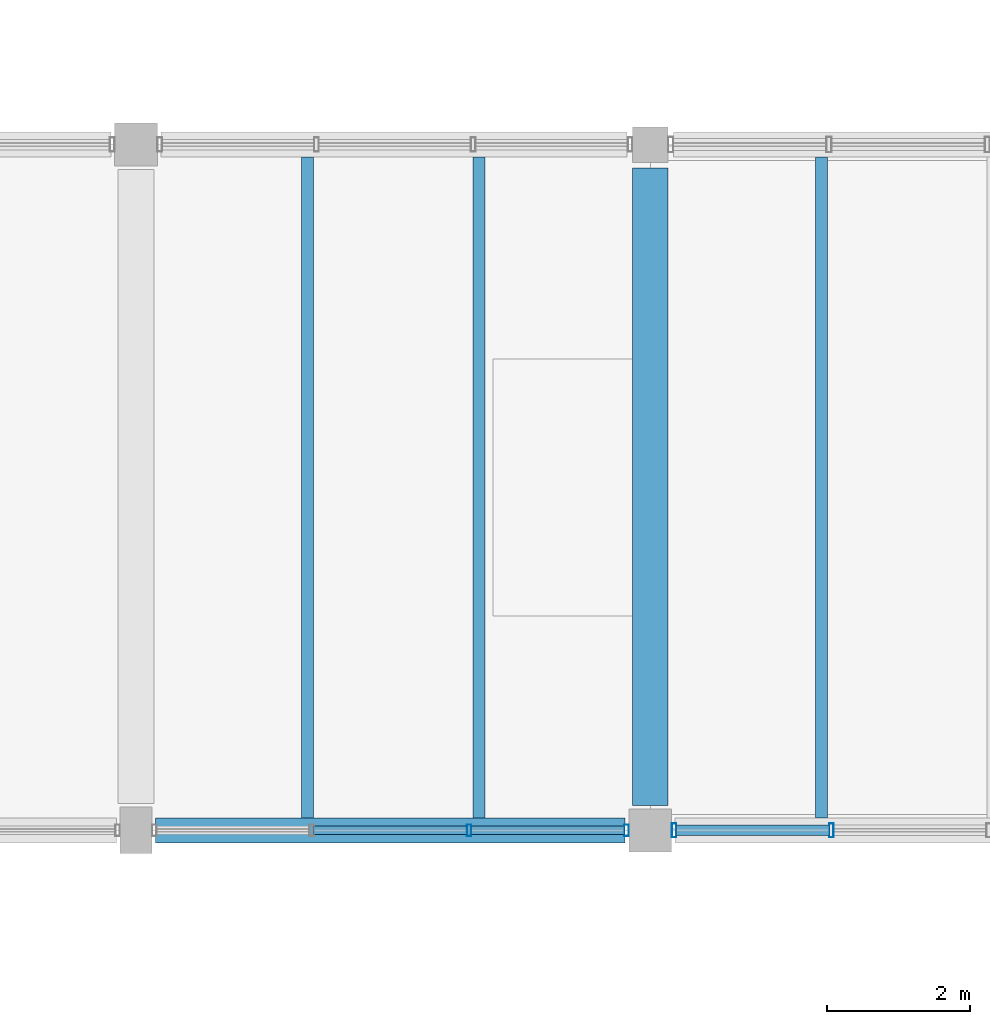
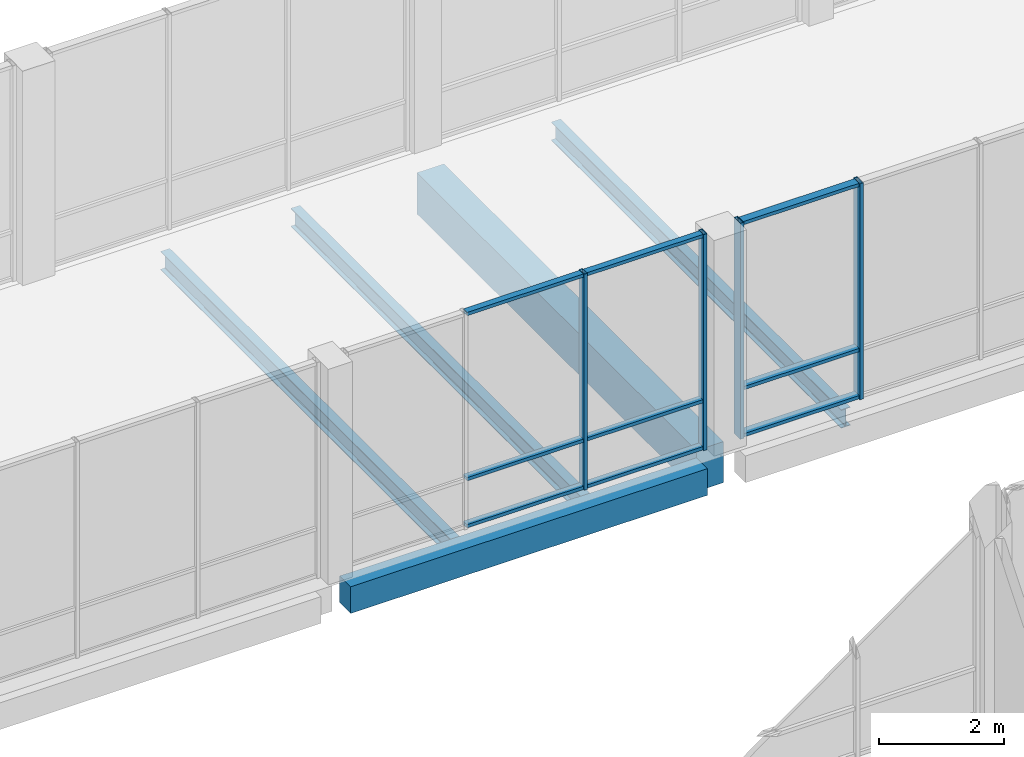
# One storey, part 25 of 104: 13 members, 5 beams, 2 elements without a shape of their own.
"""IFC4 building model written with IfcOpenShell, lengths in metres."""

from ifc_helpers import new_model, si_unit, direction, frame, origin, origin_2d, place, context, subcontext, project, spatial, rectangle, hollow_rectangle, i_section, extrude, material, material_profile, profile_set, type_object, element, aggregate, save


model = new_model("IFC4")

# Units and contexts
model_context = context("Model", 3, precision=1e-05, world=origin(), true_north=direction((0.0, 1.0)))
body_context = subcontext(model_context, "Body", "Model", "MODEL_VIEW")
ifc_project = project(units=[si_unit("LENGTHUNIT", "METRE"), si_unit("AREAUNIT", "SQUARE_METRE"), si_unit("VOLUMEUNIT", "CUBIC_METRE"), si_unit("PLANEANGLEUNIT", "RADIAN"), si_unit("MASSUNIT", "GRAM", prefix="KILO")], contexts=[model_context])

# Site, building, storey
site_placement = place(None, origin())
site = spatial("IfcSite", under=ifc_project, at=site_placement, CompositionType="ELEMENT")
building_placement = place(site_placement, origin())
building = spatial("IfcBuilding", under=site, at=building_placement, Name="Hawrajan Terrace Health Centre", CompositionType="ELEMENT")
storey_placement = place(building_placement, origin())
storey = spatial("IfcBuildingStorey", under=building, at=storey_placement, Name="L00", CompositionType="ELEMENT", Elevation=0.0)

# Curtain wall, members
ifc_material_1 = material(Name="Anodized bronze aluminium and low-E solar glazing", Category="aluminium")
curtain_wall_type_1 = type_object("IfcCurtainWallType", Name="CW_Clerestory_SeriesG3", PredefinedType="USERDEFINED", material=ifc_material_1)
curtain_wall_1_placement = place(storey_placement, origin())
curtain_wall_1 = element("IfcCurtainWall", 1, at=curtain_wall_1_placement, inside=storey, type_object=curtain_wall_type_1, Name="Curtain wall CW-L00-018", ObjectType="UNITISED CURTAIN WALL", PredefinedType="USERDEFINED")
ifc_material_2 = material(Name="Anodized bronze aluminium 6063-T6", Category="aluminium")
ifc_material_profile_1 = material_profile(ifc_material_2, hollow_rectangle(XDim=0.06494140625, YDim=0.159912109375, WallThickness=0.00390625, at=origin_2d()), Name="CW MUL 65x160")
ifc_profile_set_1 = profile_set([ifc_material_profile_1], Name="Anodized bronze aluminium 6063-T6")
member_type_1 = type_object("IfcMemberType", Name="CWMullion_65x160", PredefinedType="MULLION", material=ifc_profile_set_1)
member_1_placement = place(storey_placement, frame((45.26416015625, 27.199951171875, -0.0048828125), z_axis=(0.0, 0.0, 1.0), x_axis=(1.0, 0.0, 0.0)))
member_1 = element("IfcMember", 2, at=member_1_placement, type_object=member_type_1, Name="Mullion CW-L00-018-M3", PredefinedType="MULLION", context=body_context, shape_type="SweptSolid", body=[
    extrude(hollow_rectangle(XDim=0.06494140625, YDim=0.159912109375, WallThickness=0.00390625, at=origin_2d()), origin(), (0.0, 0.0, 1.0), 4.2099609375),
])
member_2_placement = place(storey_placement, frame((47.467529296875, 27.199951171875, -0.0048828125), z_axis=(0.0, 0.0, 1.0), x_axis=(1.0, 0.0, 0.0)))
member_2 = element("IfcMember", 3, at=member_2_placement, type_object=member_type_1, Name="Mullion CW-L00-018-M4", PredefinedType="MULLION", context=body_context, shape_type="SweptSolid", body=[
    extrude(hollow_rectangle(XDim=0.06494140625, YDim=0.159912109375, WallThickness=0.00390625, at=origin_2d()), origin(), (0.0, 0.0, 1.0), 4.2099609375),
])

curtain_wall_type_2 = type_object("IfcCurtainWallType", Name="CW_Setback_SeriesL1", PredefinedType="USERDEFINED", material=ifc_material_1)
curtain_wall_2_placement = place(storey_placement, origin())
curtain_wall_2 = element("IfcCurtainWall", 4, at=curtain_wall_2_placement, inside=storey, type_object=curtain_wall_type_2, Name="Curtain wall CW-L00-022", ObjectType="UNITISED CURTAIN WALL", PredefinedType="USERDEFINED")
ifc_material_profile_2 = material_profile(ifc_material_2, hollow_rectangle(XDim=0.06494140625, YDim=0.199951171875, WallThickness=0.00439453125, at=origin_2d()), Name="CW MUL 65x200")
ifc_profile_set_2 = profile_set([ifc_material_profile_2], Name="Anodized bronze aluminium 6063-T6")
member_type_2 = type_object("IfcMemberType", Name="CWMullion_65x200", PredefinedType="MULLION", material=ifc_profile_set_2)
member_3_placement = place(storey_placement, frame((48.132568359375, 27.199951171875, -0.0048828125), z_axis=(0.0, 0.0, 1.0), x_axis=(1.0, 0.0, 0.0)))
member_3 = element("IfcMember", 5, at=member_3_placement, type_object=member_type_2, Name="Mullion CW-L00-022-M1", PredefinedType="MULLION", context=body_context, shape_type="SweptSolid", body=[
    extrude(hollow_rectangle(XDim=0.06494140625, YDim=0.199951171875, WallThickness=0.00439453125, at=origin_2d()), origin(), (0.0, 0.0, 1.0), 4.2099609375),
])
member_4_placement = place(storey_placement, frame((50.335693359375, 27.199951171875, -0.0048828125), z_axis=(0.0, 0.0, 1.0), x_axis=(1.0, 0.0, 0.0)))
member_4 = element("IfcMember", 6, at=member_4_placement, type_object=member_type_2, Name="Mullion CW-L00-022-M2", PredefinedType="MULLION", context=body_context, shape_type="SweptSolid", body=[
    extrude(hollow_rectangle(XDim=0.06494140625, YDim=0.199951171875, WallThickness=0.00439453125, at=origin_2d()), origin(), (0.0, 0.0, 1.0), 4.2099609375),
])

# Member
ifc_material_profile_3 = material_profile(ifc_material_2, hollow_rectangle(XDim=0.06494140625, YDim=0.1201171875, WallThickness=0.00341796875, at=origin_2d()), Name="CW TRN 65x120")
ifc_profile_set_3 = profile_set([ifc_material_profile_3], Name="Anodized bronze aluminium 6063-T6")
member_type_3 = type_object("IfcMemberType", Name="CWTransom_65x120", PredefinedType="USERDEFINED", material=ifc_profile_set_3)
member_5_placement = place(storey_placement, frame((43.08740234375, 27.199951171875, 0.032470703125), z_axis=(1.0, 0.0, 0.0), x_axis=(0.0, 0.0, 1.0)))
member_5 = element("IfcMember", 7, at=member_5_placement, type_object=member_type_3, Name="Transom CW-L00-018-T2-1", ObjectType="TRANSOM", PredefinedType="USERDEFINED", context=body_context, shape_type="SweptSolid", body=[
    extrude(hollow_rectangle(XDim=0.06494140625, YDim=0.1201171875, WallThickness=0.00341796875, at=origin_2d()), origin(), (0.0, 0.0, 1.0), 2.150390625),
])

member_6_placement = place(storey_placement, frame((43.08740234375, 27.199951171875, 0.949951171875), z_axis=(1.0, 0.0, 0.0), x_axis=(0.0, 0.0, 1.0)))
member_6 = element("IfcMember", 8, at=member_6_placement, type_object=member_type_3, Name="Transom CW-L00-018-T2-2", ObjectType="TRANSOM", PredefinedType="USERDEFINED", context=body_context, shape_type="SweptSolid", body=[
    extrude(hollow_rectangle(XDim=0.06494140625, YDim=0.1201171875, WallThickness=0.00341796875, at=origin_2d()), origin(), (0.0, 0.0, 1.0), 2.150390625),
])

member_7_placement = place(storey_placement, frame((43.08740234375, 27.199951171875, 4.16748046875), z_axis=(1.0, 0.0, 0.0), x_axis=(0.0, 0.0, 1.0)))
member_7 = element("IfcMember", 9, at=member_7_placement, type_object=member_type_3, Name="Transom CW-L00-018-T2-3", ObjectType="TRANSOM", PredefinedType="USERDEFINED", context=body_context, shape_type="SweptSolid", body=[
    extrude(hollow_rectangle(XDim=0.06494140625, YDim=0.1201171875, WallThickness=0.00341796875, at=origin_2d()), origin(), (0.0, 0.0, 1.0), 2.150390625),
])

member_8_placement = place(storey_placement, frame((45.290771484375, 27.199951171875, 0.032470703125), z_axis=(1.0, 0.0, 0.0), x_axis=(0.0, 0.0, 1.0)))
member_8 = element("IfcMember", 10, at=member_8_placement, type_object=member_type_3, Name="Transom CW-L00-018-T3-1", ObjectType="TRANSOM", PredefinedType="USERDEFINED", context=body_context, shape_type="SweptSolid", body=[
    extrude(hollow_rectangle(XDim=0.06494140625, YDim=0.1201171875, WallThickness=0.00341796875, at=origin_2d()), origin(), (0.0, 0.0, 1.0), 2.150146484375),
])

member_9_placement = place(storey_placement, frame((45.290771484375, 27.199951171875, 0.949951171875), z_axis=(1.0, 0.0, 0.0), x_axis=(0.0, 0.0, 1.0)))
member_9 = element("IfcMember", 11, at=member_9_placement, type_object=member_type_3, Name="Transom CW-L00-018-T3-2", ObjectType="TRANSOM", PredefinedType="USERDEFINED", context=body_context, shape_type="SweptSolid", body=[
    extrude(hollow_rectangle(XDim=0.06494140625, YDim=0.1201171875, WallThickness=0.00341796875, at=origin_2d()), origin(), (0.0, 0.0, 1.0), 2.150146484375),
])

member_10_placement = place(storey_placement, frame((45.290771484375, 27.199951171875, 4.16748046875), z_axis=(1.0, 0.0, 0.0), x_axis=(0.0, 0.0, 1.0)))
member_10 = element("IfcMember", 12, at=member_10_placement, type_object=member_type_3, Name="Transom CW-L00-018-T3-3", ObjectType="TRANSOM", PredefinedType="USERDEFINED", context=body_context, shape_type="SweptSolid", body=[
    extrude(hollow_rectangle(XDim=0.06494140625, YDim=0.1201171875, WallThickness=0.00341796875, at=origin_2d()), origin(), (0.0, 0.0, 1.0), 2.150146484375),
])

aggregate(curtain_wall_1, [member_1, member_2, member_5, member_6, member_7, member_8, member_9, member_10])

ifc_material_profile_4 = material_profile(ifc_material_2, hollow_rectangle(XDim=0.06494140625, YDim=0.14990234375, WallThickness=0.00390625, at=origin_2d()), Name="CW TRN 65x150")
ifc_profile_set_4 = profile_set([ifc_material_profile_4], Name="Anodized bronze aluminium 6063-T6")
member_type_4 = type_object("IfcMemberType", Name="CWTransom_65x150", PredefinedType="USERDEFINED", material=ifc_profile_set_4)
member_11_placement = place(storey_placement, frame((48.158935546875, 27.199951171875, 0.032470703125), z_axis=(1.0, 0.0, 0.0), x_axis=(0.0, 0.0, 1.0)))
member_11 = element("IfcMember", 13, at=member_11_placement, type_object=member_type_4, Name="Transom CW-L00-022-T1-1", ObjectType="TRANSOM", PredefinedType="USERDEFINED", context=body_context, shape_type="SweptSolid", body=[
    extrude(hollow_rectangle(XDim=0.06494140625, YDim=0.14990234375, WallThickness=0.00390625, at=origin_2d()), origin(), (0.0, 0.0, 1.0), 2.150390625),
])

member_12_placement = place(storey_placement, frame((48.158935546875, 27.199951171875, 0.949951171875), z_axis=(1.0, 0.0, 0.0), x_axis=(0.0, 0.0, 1.0)))
member_12 = element("IfcMember", 14, at=member_12_placement, type_object=member_type_4, Name="Transom CW-L00-022-T1-2", ObjectType="TRANSOM", PredefinedType="USERDEFINED", context=body_context, shape_type="SweptSolid", body=[
    extrude(hollow_rectangle(XDim=0.06494140625, YDim=0.14990234375, WallThickness=0.00390625, at=origin_2d()), origin(), (0.0, 0.0, 1.0), 2.150390625),
])

member_13_placement = place(storey_placement, frame((48.158935546875, 27.199951171875, 4.16748046875), z_axis=(1.0, 0.0, 0.0), x_axis=(0.0, 0.0, 1.0)))
member_13 = element("IfcMember", 15, at=member_13_placement, type_object=member_type_4, Name="Transom CW-L00-022-T1-3", ObjectType="TRANSOM", PredefinedType="USERDEFINED", context=body_context, shape_type="SweptSolid", body=[
    extrude(hollow_rectangle(XDim=0.06494140625, YDim=0.14990234375, WallThickness=0.00390625, at=origin_2d()), origin(), (0.0, 0.0, 1.0), 2.150390625),
])

aggregate(curtain_wall_2, [member_3, member_4, member_11, member_12, member_13])

# Beams
ifc_material_3 = material(Name="Concrete C40/50", Category="concrete")
ifc_material_profile_5 = material_profile(ifc_material_3, rectangle(XDim=0.5, YDim=0.800048828125, at=origin_2d()), Name="RC BM 500x800")
ifc_profile_set_5 = profile_set([ifc_material_profile_5], Name="Concrete C40/50")
beam_type_1 = type_object("IfcBeamType", Name="RCGirder_500x800", PredefinedType="BEAM", material=ifc_profile_set_5)
beam_1_placement = place(storey_placement, frame((47.800048828125, 27.550048828125, -0.699951171875), z_axis=(0.0, 1.0, 0.0), x_axis=(-1.0, 0.0, 0.0)))
element("IfcBeam", 16, at=beam_1_placement, inside=storey, type_object=beam_type_1, Name="Beam BM-Y-L00-W-X07-4", PredefinedType="BEAM", context=body_context, shape_type="SweptSolid", body=[
    extrude(rectangle(XDim=0.5, YDim=0.800048828125, at=origin_2d()), origin(), (0.0, 0.0, 1.0), 8.925048828125),
])
ifc_material_profile_6 = material_profile(ifc_material_3, rectangle(XDim=0.35009765625, YDim=0.52001953125, at=origin_2d()), Name="RC SP 350x520")
ifc_profile_set_6 = profile_set([ifc_material_profile_6], Name="Concrete C40/50")
beam_type_2 = type_object("IfcBeamType", Name="RCSpandrel_350x520", PredefinedType="SPANDREL", material=ifc_profile_set_6)
beam_2_placement = place(storey_placement, frame((40.875, 27.199951171875, -0.56005859375), z_axis=(1.0, 0.0, 0.0), x_axis=(0.0, 1.0, 0.0)))
element("IfcBeam", 17, at=beam_2_placement, inside=storey, type_object=beam_type_2, Name="Beam BM-X-L00-W-06-Y4", PredefinedType="SPANDREL", context=body_context, shape_type="SweptSolid", body=[
    extrude(rectangle(XDim=0.35009765625, YDim=0.52001953125, at=origin_2d()), origin(), (0.0, 0.0, 1.0), 6.574951171875),
])
ifc_material_4 = material(Name="Steel S355", Category="steel")
ifc_material_profile_7 = material_profile(ifc_material_4, i_section(OverallWidth=0.169921875, OverallDepth=0.360107421875, WebThickness=0.008056640625, FlangeThickness=0.0126953125, FilletRadius=0.01806640625, at=origin_2d()), Name="IPE 360")
ifc_profile_set_7 = profile_set([ifc_material_profile_7], Name="Steel S355")
beam_type_3 = type_object("IfcBeamType", Name="SteelBeam_IPE360", PredefinedType="BEAM", material=ifc_profile_set_7)
for number, where, z_axis, x_axis, name in (
    (18, (43.0, 27.375, -0.47998046875), (0.0, 1.0, 0.0), (-1.0, 0.0, 0.0), "Secondary joist JST-L00-W-06-4-1"),
    (19, (45.39990234375, 27.375, -0.47998046875), (0.0, 1.0, 0.0), (-1.0, 0.0, 0.0), "Secondary joist JST-L00-W-06-4-2"),
    (20, (50.199951171875, 27.375, -0.47998046875), (0.0, 1.0, 0.0), (-1.0, 0.0, 0.0), "Secondary joist JST-L00-W-07-4-1"),
):
    element("IfcBeam", number, at=place(storey_placement, frame(where, z_axis=z_axis, x_axis=x_axis)), inside=storey, type_object=beam_type_3, Name=name, PredefinedType="BEAM", context=body_context, shape_type="SweptSolid", body=[
        extrude(i_section(OverallWidth=0.169921875, OverallDepth=0.360107421875, WebThickness=0.008056640625, FlangeThickness=0.0126953125, FilletRadius=0.01806640625, at=origin_2d()), origin(), (0.0, 0.0, 1.0), 9.25),
    ])

save(model, "model.ifc")
